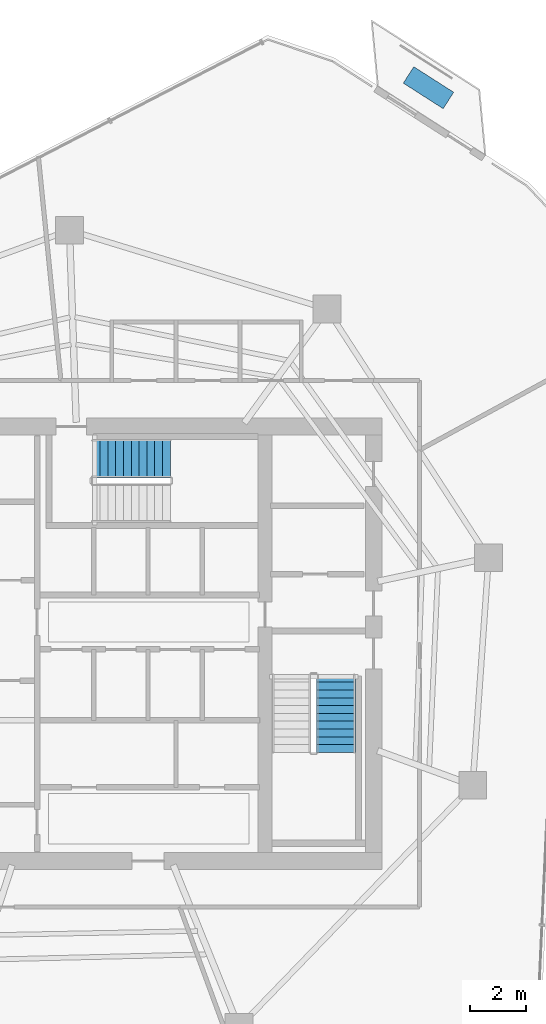
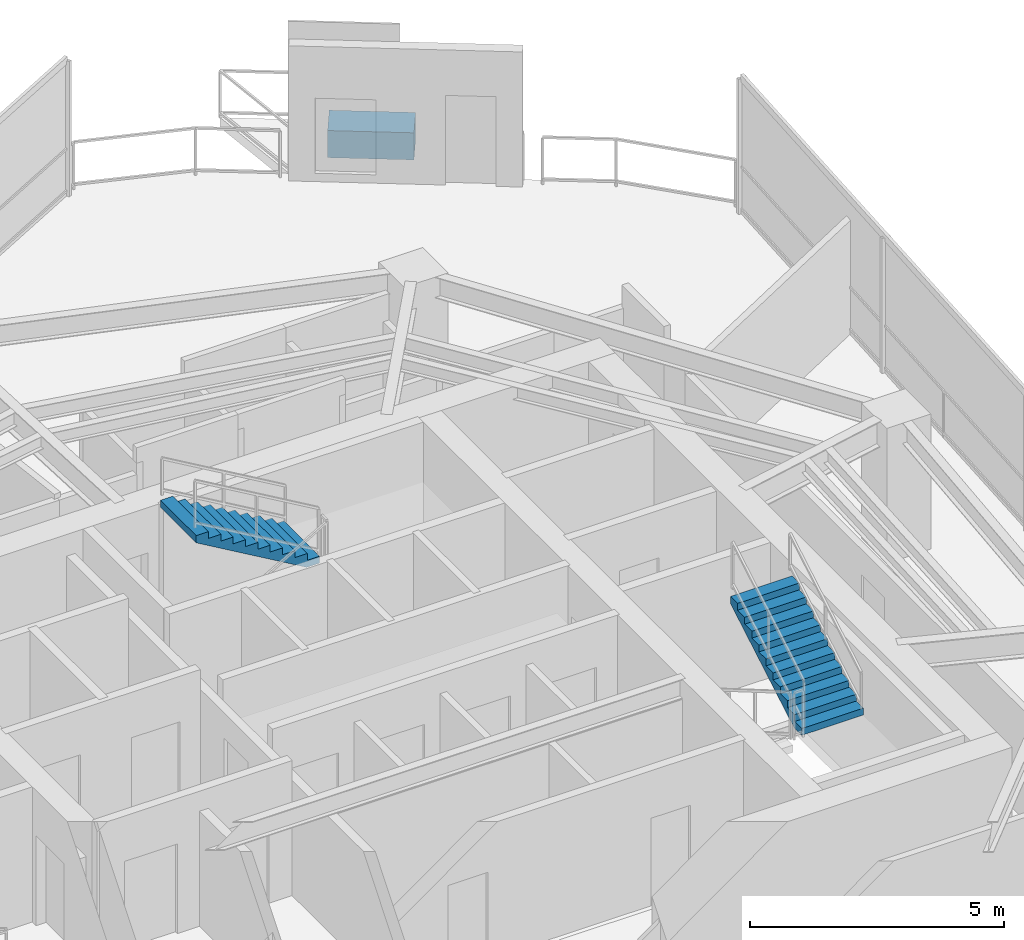
# One storey, part 18 of 20: 2 stair flights, 1 discrete accessory, 2 elements without a shape of their own.
"""IFC4 building model written with IfcOpenShell, lengths in metres."""

from ifc_helpers import new_model, si_unit, direction, frame, origin, origin_2d, place, context, subcontext, project, spatial, polyline, rectangle, outline, extrude, material, type_object, element, aggregate, save


model = new_model("IFC4")

# Units and contexts
model_context = context("Model", 3, precision=1e-05, world=origin(), true_north=direction((0.0, 1.0)))
body_context = subcontext(model_context, "Body", "Model", "MODEL_VIEW")
ifc_project = project(units=[si_unit("LENGTHUNIT", "METRE"), si_unit("AREAUNIT", "SQUARE_METRE"), si_unit("VOLUMEUNIT", "CUBIC_METRE"), si_unit("PLANEANGLEUNIT", "RADIAN"), si_unit("MASSUNIT", "GRAM", prefix="KILO")], contexts=[model_context])

# Site, building, storey
site_placement = place(None, origin())
site = spatial("IfcSite", under=ifc_project, at=site_placement, CompositionType="ELEMENT")
building_placement = place(site_placement, origin())
building = spatial("IfcBuilding", under=site, at=building_placement, Name="Qarnah Convention Tower", CompositionType="ELEMENT")
storey_placement = place(building_placement, frame((0.0, 0.0, 168.89990234375)))
storey = spatial("IfcBuildingStorey", under=building, at=storey_placement, Name="L45", CompositionType="ELEMENT", Elevation=168.89990234375)

# Stair, stair flight
ifc_material_1 = material(Name="Concrete C50/60", Category="concrete")
stair_type = type_object("IfcStairType", Name="STR-OFF", PredefinedType="HALF_TURN_STAIR", material=ifc_material_1)
stair_1_placement = place(storey_placement, origin())
stair_1 = element("IfcStair", 1, at=stair_1_placement, inside=storey, type_object=stair_type, Name="L45 Core exit stair ST-2", PredefinedType="HALF_TURN_STAIR")
stair_flight_type = type_object("IfcStairFlightType", Name="FLT-OFF", PredefinedType="STRAIGHT", material=ifc_material_1)
stair_flight_1_placement = place(storey_placement, frame((46.25, 22.5, 1.800048828125), z_axis=(0.0, 0.0, 1.0), x_axis=(0.0, 1.0, 0.0)))
stair_flight_1 = element("IfcStairFlight", 2, at=stair_flight_1_placement, type_object=stair_flight_type, Name="ST-2 flight 2", NumberOfRisers=11, NumberOfTreads=10, PredefinedType="STRAIGHT", RiserHeight=0.163636364, TreadLength=0.28, context=body_context, shape_type="SweptSolid", body=[
    extrude(outline(polyline([(0.0, 0.0), (0.0, 0.16357421875), (0.280029296875, 0.16357421875), (0.280029296875, 0.327392578125), (0.56005859375, 0.327392578125), (0.56005859375, 0.490966796875), (0.840087890625, 0.490966796875), (0.840087890625, 0.654541015625), (1.1201171875, 0.654541015625), (1.1201171875, 0.818115234375), (1.39990234375, 0.818115234375), (1.39990234375, 0.98193359375), (1.679931640625, 0.98193359375), (1.679931640625, 1.1455078125), (1.9599609375, 1.1455078125), (1.9599609375, 1.30908203125), (2.239990234375, 1.30908203125), (2.239990234375, 1.47265625), (2.52001953125, 1.47265625), (2.52001953125, 1.636474609375), (2.800048828125, 1.636474609375), (2.800048828125, 1.800048828125), (2.800048828125, 1.462646484375), (0.297119140625, 0.0), (0.0, 0.0)])), frame((0.0, 0.699951171875, 0.0), z_axis=(0.0, -1.0, 0.0), x_axis=(1.0, 0.0, 0.0)), (0.0, 0.0, 1.0), 1.39990234375),
])
aggregate(stair_1, [stair_flight_1])

stair_2_placement = place(storey_placement, origin())
stair_2 = element("IfcStair", 3, at=stair_2_placement, inside=storey, type_object=stair_type, Name="L45 Core exit stair ST-3", PredefinedType="HALF_TURN_STAIR")
stair_flight_2_placement = place(storey_placement, frame((40.300048828125, 33.050048828125, 1.800048828125), z_axis=(0.0, 0.0, 1.0), x_axis=(-1.0, 0.0, 0.0)))
stair_flight_2 = element("IfcStairFlight", 4, at=stair_flight_2_placement, type_object=stair_flight_type, Name="ST-3 flight 2", NumberOfRisers=11, NumberOfTreads=10, PredefinedType="STRAIGHT", RiserHeight=0.163636364, TreadLength=0.28, context=body_context, shape_type="SweptSolid", body=[
    extrude(outline(polyline([(0.0, 0.0), (0.0, 0.16357421875), (0.280029296875, 0.16357421875), (0.280029296875, 0.327392578125), (0.56005859375, 0.327392578125), (0.56005859375, 0.490966796875), (0.840087890625, 0.490966796875), (0.840087890625, 0.654541015625), (1.1201171875, 0.654541015625), (1.1201171875, 0.818115234375), (1.39990234375, 0.818115234375), (1.39990234375, 0.98193359375), (1.679931640625, 0.98193359375), (1.679931640625, 1.1455078125), (1.9599609375, 1.1455078125), (1.9599609375, 1.30908203125), (2.239990234375, 1.30908203125), (2.239990234375, 1.47265625), (2.52001953125, 1.47265625), (2.52001953125, 1.636474609375), (2.800048828125, 1.636474609375), (2.800048828125, 1.800048828125), (2.800048828125, 1.462646484375), (0.297119140625, 0.0), (0.0, 0.0)])), frame((0.0, 0.699951171875, 0.0), z_axis=(0.0, -1.0, 0.0), x_axis=(1.0, 0.0, 0.0)), (0.0, 0.0, 1.0), 1.39990234375),
])
aggregate(stair_2, [stair_flight_2])

# Discrete accessory
ifc_material_2 = material(Name="Precast concrete C45/55", Category="concrete")
discrete_accessory_type = type_object("IfcDiscreteAccessoryType", Name="ACC-PLANTER-900", PredefinedType="USERDEFINED", material=ifc_material_2)
discrete_accessory_placement = place(storey_placement, frame((49.56689453125, 46.35791015625, 0.000244140625), z_axis=(0.0, 0.0, 1.0), x_axis=(-0.842076058773, 0.539358796389, 0.0)))
element("IfcDiscreteAccessory", 5, at=discrete_accessory_placement, inside=storey, type_object=discrete_accessory_type, Name="L45 irrigated desert balcony PLANTER BAL-L45-C1", ObjectType="PLANTER", PredefinedType="USERDEFINED", context=body_context, shape_type="SweptSolid", body=[
    extrude(rectangle(XDim=1.699951171875, YDim=0.699951171875, at=origin_2d()), origin(), (0.0, 0.0, 1.0), 0.64990234375),
])

save(model, "model.ifc")
